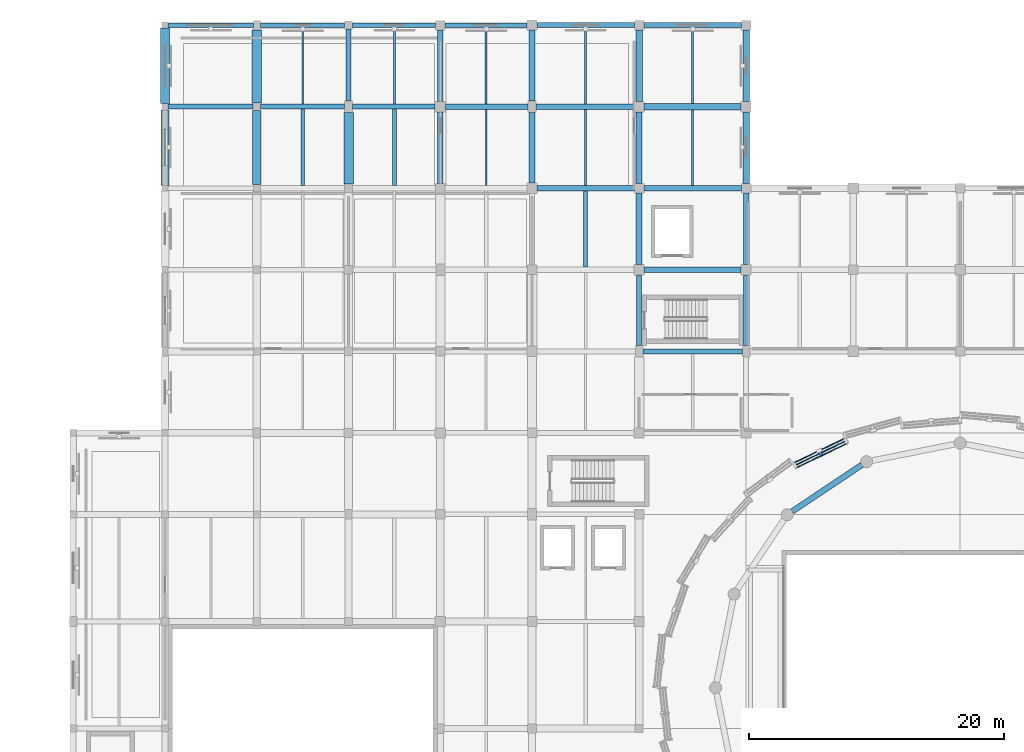
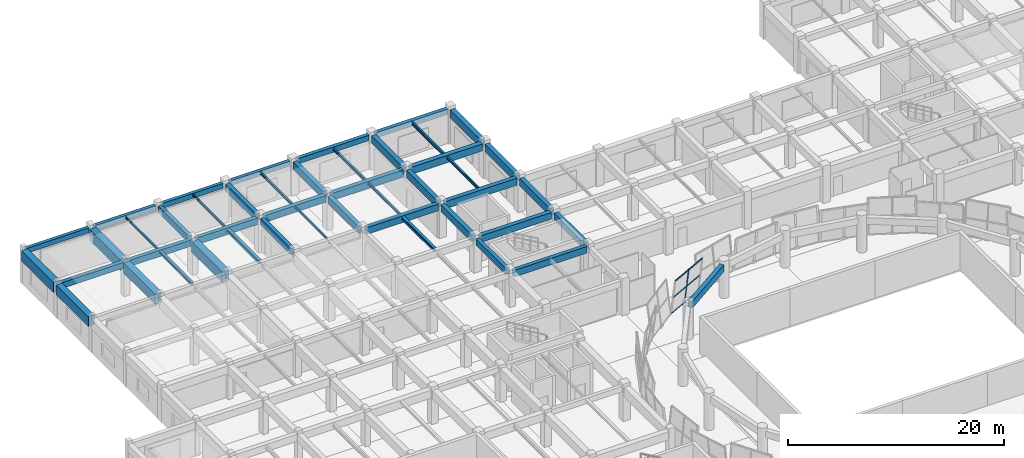
# One storey, part 34 of 71: 46 beams, 7 members, 1 element without a shape of its own.
"""IFC4 building model written with IfcOpenShell, lengths in metres."""

from ifc_helpers import new_model, si_unit, direction, frame, origin, origin_2d, place, context, subcontext, project, spatial, rectangle, hollow_rectangle, i_section, extrude, material, material_profile, profile_set, type_object, element, aggregate, save


model = new_model("IFC4")

# Units and contexts
model_context = context("Model", 3, precision=1e-05, world=origin(), true_north=direction((0.0, 1.0)))
body_context = subcontext(model_context, "Body", "Model", "MODEL_VIEW")
ifc_project = project(units=[si_unit("LENGTHUNIT", "METRE"), si_unit("AREAUNIT", "SQUARE_METRE"), si_unit("VOLUMEUNIT", "CUBIC_METRE"), si_unit("PLANEANGLEUNIT", "RADIAN"), si_unit("MASSUNIT", "GRAM", prefix="KILO")], contexts=[model_context])

# Site, building, storey
site_placement = place(None, origin())
site = spatial("IfcSite", under=ifc_project, at=site_placement, CompositionType="ELEMENT")
building_placement = place(site_placement, origin())
building = spatial("IfcBuilding", under=site, at=building_placement, Name="Korsvaeld Concert Hall", CompositionType="ELEMENT")
storey_placement = place(building_placement, frame((0.0, 0.0, 4.800048828125)))
storey = spatial("IfcBuildingStorey", under=building, at=storey_placement, Name="L01", CompositionType="ELEMENT", Elevation=4.800048828125)

# Beams
ifc_material_1 = material(Name="Concrete C35/45", Category="concrete")
ifc_material_profile_1 = material_profile(ifc_material_1, rectangle(XDim=0.39990234375, YDim=0.64990234375, at=origin_2d()), Name="RC 400x650")
ifc_profile_set_1 = profile_set([ifc_material_profile_1], Name="Concrete C35/45")
beam_type_1 = type_object("IfcBeamType", Name="BM-RC-400x650", PredefinedType="T_BEAM", material=ifc_profile_set_1)
beam_1_placement = place(storey_placement, frame((21.85009765625, 108.800048828125, 3.514892578125), z_axis=(1.0, 0.0, 0.0), x_axis=(0.0, 1.0, 0.0)))
element("IfcBeam", 1, at=beam_1_placement, inside=storey, type_object=beam_type_1, Name="Primary girder 4-5/R L01", PredefinedType="T_BEAM", context=body_context, shape_type="SweptSolid", body=[
    extrude(rectangle(XDim=0.39990234375, YDim=0.64990234375, at=origin_2d()), origin(), (0.0, 0.0, 1.0), 6.64990234375),
])
ifc_material_profile_2 = material_profile(ifc_material_1, rectangle(XDim=0.39990234375, YDim=0.699951171875, at=origin_2d()), Name="RC 400x700")
ifc_profile_set_2 = profile_set([ifc_material_profile_2], Name="Concrete C35/45")
beam_type_2 = type_object("IfcBeamType", Name="BM-RC-400x700", PredefinedType="T_BEAM", material=ifc_profile_set_2)
beam_2_placement = place(storey_placement, frame((29.10009765625, 108.800048828125, 3.489990234375), z_axis=(1.0, 0.0, 0.0), x_axis=(0.0, 1.0, 0.0)))
element("IfcBeam", 2, at=beam_2_placement, inside=storey, type_object=beam_type_2, Name="Primary girder 5-6/R L01", PredefinedType="T_BEAM", context=body_context, shape_type="SweptSolid", body=[
    extrude(rectangle(XDim=0.39990234375, YDim=0.699951171875, at=origin_2d()), origin(), (0.0, 0.0, 1.0), 6.599853515625),
])
for number, where, z_axis, x_axis, name in (
    (3, (36.0, 109.25, 3.489990234375), (0.0, 1.0, 0.0), (-1.0, 0.0, 0.0), "Primary girder 6/R-S L01"),
    (4, (43.199951171875, 102.77490234375, 3.489990234375), (0.0, 1.0, 0.0), (-1.0, 0.0, 0.0), "Primary girder 7/Q-R L01"),
):
    element("IfcBeam", number, at=place(storey_placement, frame(where, z_axis=z_axis, x_axis=x_axis)), inside=storey, type_object=beam_type_2, Name=name, PredefinedType="T_BEAM", context=body_context, shape_type="SweptSolid", body=[
        extrude(rectangle(XDim=0.39990234375, YDim=0.699951171875, at=origin_2d()), origin(), (0.0, 0.0, 1.0), 5.625),
    ])
beam_3_placement = place(storey_placement, frame((58.800048828125, 90.050048828125, 3.489990234375), z_axis=(0.0, 1.0, 0.0), x_axis=(-1.0, 0.0, 0.0)))
element("IfcBeam", 5, at=beam_3_placement, inside=storey, type_object=beam_type_2, Name="Primary girder 9/N-P L01", PredefinedType="T_BEAM", context=body_context, shape_type="SweptSolid", body=[
    extrude(rectangle(XDim=0.39990234375, YDim=0.699951171875, at=origin_2d()), origin(), (0.0, 0.0, 1.0), 5.550048828125),
])
ifc_material_profile_3 = material_profile(ifc_material_1, rectangle(XDim=0.39990234375, YDim=0.75, at=origin_2d()), Name="RC 400x750")
ifc_profile_set_3 = profile_set([ifc_material_profile_3], Name="Concrete C35/45")
beam_type_3 = type_object("IfcBeamType", Name="BM-RC-400x750", PredefinedType="T_BEAM", material=ifc_profile_set_3)
beam_4_placement = place(storey_placement, frame((59.10009765625, 89.60009765625, 3.46484375), z_axis=(1.0, 0.0, 0.0), x_axis=(0.0, 1.0, 0.0)))
element("IfcBeam", 6, at=beam_4_placement, inside=storey, type_object=beam_type_3, Name="Primary girder 9-10/N L01", PredefinedType="T_BEAM", context=body_context, shape_type="SweptSolid", body=[
    extrude(rectangle(XDim=0.39990234375, YDim=0.75, at=origin_2d()), origin(), (0.0, 0.0, 1.0), 7.7998046875),
])
beam_5_placement = place(storey_placement, frame((36.300048828125, 108.800048828125, 3.46484375), z_axis=(1.0, 0.0, 0.0), x_axis=(0.0, 1.0, 0.0)))
element("IfcBeam", 7, at=beam_5_placement, inside=storey, type_object=beam_type_3, Name="Primary girder 6-7/R L01", PredefinedType="T_BEAM", context=body_context, shape_type="SweptSolid", body=[
    extrude(rectangle(XDim=0.39990234375, YDim=0.75, at=origin_2d()), origin(), (0.0, 0.0, 1.0), 6.5),
])
ifc_material_profile_4 = material_profile(ifc_material_1, rectangle(XDim=0.449951171875, YDim=0.75, at=origin_2d()), Name="RC 450x750")
ifc_profile_set_4 = profile_set([ifc_material_profile_4], Name="Concrete C35/45")
beam_type_4 = type_object("IfcBeamType", Name="BM-RC-450x750", PredefinedType="T_BEAM", material=ifc_profile_set_4)
beam_6_placement = place(storey_placement, frame((59.199951171875, 96.0, 3.46484375), z_axis=(1.0, 0.0, 0.0), x_axis=(0.0, 1.0, 0.0)))
element("IfcBeam", 8, at=beam_6_placement, inside=storey, type_object=beam_type_4, Name="Primary girder 9-10/P L01", PredefinedType="T_BEAM", context=body_context, shape_type="SweptSolid", body=[
    extrude(rectangle(XDim=0.449951171875, YDim=0.75, at=origin_2d()), origin(), (0.0, 0.0, 1.0), 7.60009765625),
])
beam_7_placement = place(storey_placement, frame((50.800048828125, 102.39990234375, 3.46484375), z_axis=(1.0, 0.0, 0.0), x_axis=(0.0, 1.0, 0.0)))
element("IfcBeam", 9, at=beam_7_placement, inside=storey, type_object=beam_type_4, Name="Primary girder 8-9/Q L01", PredefinedType="T_BEAM", context=body_context, shape_type="SweptSolid", body=[
    extrude(rectangle(XDim=0.449951171875, YDim=0.75, at=origin_2d()), origin(), (0.0, 0.0, 1.0), 7.625),
])
beam_8_placement = place(storey_placement, frame((43.60009765625, 108.800048828125, 3.46484375), z_axis=(1.0, 0.0, 0.0), x_axis=(0.0, 1.0, 0.0)))
element("IfcBeam", 10, at=beam_8_placement, inside=storey, type_object=beam_type_4, Name="Primary girder 7-8/R L01", PredefinedType="T_BEAM", context=body_context, shape_type="SweptSolid", body=[
    extrude(rectangle(XDim=0.449951171875, YDim=0.75, at=origin_2d()), origin(), (0.0, 0.0, 1.0), 6.5),
])
beam_9_placement = place(storey_placement, frame((76.2783203125, 80.6884765625, 3.46484375), z_axis=(-0.83148573347, -0.55554610523, 0.0), x_axis=(0.55554610523, -0.83148573347, 0.0)))
element("IfcBeam", 11, at=beam_9_placement, inside=storey, type_object=beam_type_4, Name="Drum ring floor girder L01 06", PredefinedType="T_BEAM", context=body_context, shape_type="SweptSolid", body=[
    extrude(rectangle(XDim=0.449951171875, YDim=0.75, at=origin_2d()), origin(), (0.0, 0.0, 1.0), 6.591552734375),
])
ifc_material_profile_5 = material_profile(ifc_material_1, rectangle(XDim=0.449951171875, YDim=0.800048828125, at=origin_2d()), Name="RC 450x800")
ifc_profile_set_5 = profile_set([ifc_material_profile_5], Name="Concrete C35/45")
beam_type_5 = type_object("IfcBeamType", Name="BM-RC-450x800", PredefinedType="T_BEAM", material=ifc_profile_set_5)
beam_10_placement = place(storey_placement, frame((59.175048828125, 102.39990234375, 3.43994140625), z_axis=(1.0, 0.0, 0.0), x_axis=(0.0, 1.0, 0.0)))
element("IfcBeam", 12, at=beam_10_placement, inside=storey, type_object=beam_type_5, Name="Primary girder 9-10/Q L01", PredefinedType="T_BEAM", context=body_context, shape_type="SweptSolid", body=[
    extrude(rectangle(XDim=0.449951171875, YDim=0.800048828125, at=origin_2d()), origin(), (0.0, 0.0, 1.0), 7.64990234375),
])
beam_11_placement = place(storey_placement, frame((50.699951171875, 108.800048828125, 3.43994140625), z_axis=(1.0, 0.0, 0.0), x_axis=(0.0, 1.0, 0.0)))
element("IfcBeam", 13, at=beam_11_placement, inside=storey, type_object=beam_type_5, Name="Primary girder 8-9/R L01", PredefinedType="T_BEAM", context=body_context, shape_type="SweptSolid", body=[
    extrude(rectangle(XDim=0.449951171875, YDim=0.800048828125, at=origin_2d()), origin(), (0.0, 0.0, 1.0), 7.699951171875),
])
beam_12_placement = place(storey_placement, frame((43.199951171875, 109.199951171875, 3.43994140625), z_axis=(0.0, 1.0, 0.0), x_axis=(-1.0, 0.0, 0.0)))
element("IfcBeam", 14, at=beam_12_placement, inside=storey, type_object=beam_type_5, Name="Primary girder 7/R-S L01", PredefinedType="T_BEAM", context=body_context, shape_type="SweptSolid", body=[
    extrude(rectangle(XDim=0.449951171875, YDim=0.800048828125, at=origin_2d()), origin(), (0.0, 0.0, 1.0), 5.625),
])
beam_13_placement = place(storey_placement, frame((50.39990234375, 102.800048828125, 3.43994140625), z_axis=(0.0, 1.0, 0.0), x_axis=(-1.0, 0.0, 0.0)))
element("IfcBeam", 15, at=beam_13_placement, inside=storey, type_object=beam_type_5, Name="Primary girder 8/Q-R L01", PredefinedType="T_BEAM", context=body_context, shape_type="SweptSolid", body=[
    extrude(rectangle(XDim=0.449951171875, YDim=0.800048828125, at=origin_2d()), origin(), (0.0, 0.0, 1.0), 5.550048828125),
])
beam_14_placement = place(storey_placement, frame((58.800048828125, 96.39990234375, 3.43994140625), z_axis=(0.0, 1.0, 0.0), x_axis=(-1.0, 0.0, 0.0)))
element("IfcBeam", 16, at=beam_14_placement, inside=storey, type_object=beam_type_5, Name="Primary girder 9/P-Q L01", PredefinedType="T_BEAM", context=body_context, shape_type="SweptSolid", body=[
    extrude(rectangle(XDim=0.449951171875, YDim=0.800048828125, at=origin_2d()), origin(), (0.0, 0.0, 1.0), 5.625),
])
beam_15_placement = place(storey_placement, frame((67.199951171875, 90.050048828125, 3.43994140625), z_axis=(0.0, 1.0, 0.0), x_axis=(-1.0, 0.0, 0.0)))
element("IfcBeam", 17, at=beam_15_placement, inside=storey, type_object=beam_type_5, Name="Primary girder 10/N-P L01", PredefinedType="T_BEAM", context=body_context, shape_type="SweptSolid", body=[
    extrude(rectangle(XDim=0.449951171875, YDim=0.800048828125, at=origin_2d()), origin(), (0.0, 0.0, 1.0), 5.550048828125),
])
ifc_material_2 = material(Name="Concrete C40/50", Category="concrete")
ifc_material_profile_6 = material_profile(ifc_material_2, rectangle(XDim=0.449951171875, YDim=0.85009765625, at=origin_2d()), Name="RC 450x850")
ifc_profile_set_6 = profile_set([ifc_material_profile_6], Name="Concrete C40/50")
beam_type_6 = type_object("IfcBeamType", Name="BM-RC-450x850", PredefinedType="T_BEAM", material=ifc_profile_set_6)
beam_16_placement = place(storey_placement, frame((50.39990234375, 109.25, 3.4150390625), z_axis=(0.0, 1.0, 0.0), x_axis=(-1.0, 0.0, 0.0)))
element("IfcBeam", 18, at=beam_16_placement, inside=storey, type_object=beam_type_6, Name="Primary girder 8/R-S L01", PredefinedType="T_BEAM", context=body_context, shape_type="SweptSolid", body=[
    extrude(rectangle(XDim=0.449951171875, YDim=0.85009765625, at=origin_2d()), origin(), (0.0, 0.0, 1.0), 5.550048828125),
])
for number, where, z_axis, x_axis, name in (
    (19, (58.800048828125, 102.77490234375, 3.4150390625), (0.0, 1.0, 0.0), (-1.0, 0.0, 0.0), "Primary girder 9/Q-R L01"),
    (20, (67.199951171875, 96.39990234375, 3.4150390625), (0.0, 1.0, 0.0), (-1.0, 0.0, 0.0), "Primary girder 10/P-Q L01"),
):
    element("IfcBeam", number, at=place(storey_placement, frame(where, z_axis=z_axis, x_axis=x_axis)), inside=storey, type_object=beam_type_6, Name=name, PredefinedType="T_BEAM", context=body_context, shape_type="SweptSolid", body=[
        extrude(rectangle(XDim=0.449951171875, YDim=0.85009765625, at=origin_2d()), origin(), (0.0, 0.0, 1.0), 5.625),
    ])
ifc_material_profile_7 = material_profile(ifc_material_2, rectangle(XDim=0.5, YDim=0.800048828125, at=origin_2d()), Name="RC 500x800")
ifc_profile_set_7 = profile_set([ifc_material_profile_7], Name="Concrete C40/50")
beam_type_7 = type_object("IfcBeamType", Name="BM-RC-500x800", PredefinedType="T_BEAM", material=ifc_profile_set_7)
beam_17_placement = place(storey_placement, frame((59.199951171875, 108.800048828125, 3.43994140625), z_axis=(1.0, 0.0, 0.0), x_axis=(0.0, 1.0, 0.0)))
element("IfcBeam", 21, at=beam_17_placement, inside=storey, type_object=beam_type_7, Name="Primary girder 9-10/R L01", PredefinedType="T_BEAM", context=body_context, shape_type="SweptSolid", body=[
    extrude(rectangle(XDim=0.5, YDim=0.800048828125, at=origin_2d()), origin(), (0.0, 0.0, 1.0), 7.60009765625),
])
ifc_material_profile_8 = material_profile(ifc_material_2, rectangle(XDim=0.5, YDim=0.85009765625, at=origin_2d()), Name="RC 500x850")
ifc_profile_set_8 = profile_set([ifc_material_profile_8], Name="Concrete C40/50")
beam_type_8 = type_object("IfcBeamType", Name="BM-RC-500x850", PredefinedType="T_BEAM", material=ifc_profile_set_8)
for number, where, z_axis, x_axis, name in (
    (22, (58.800048828125, 109.199951171875, 3.4150390625), (0.0, 1.0, 0.0), (-1.0, 0.0, 0.0), "Primary girder 9/R-S L01"),
    (23, (67.199951171875, 102.77490234375, 3.4150390625), (0.0, 1.0, 0.0), (-1.0, 0.0, 0.0), "Primary girder 10/Q-R L01"),
):
    element("IfcBeam", number, at=place(storey_placement, frame(where, z_axis=z_axis, x_axis=x_axis)), inside=storey, type_object=beam_type_8, Name=name, PredefinedType="T_BEAM", context=body_context, shape_type="SweptSolid", body=[
        extrude(rectangle(XDim=0.5, YDim=0.85009765625, at=origin_2d()), origin(), (0.0, 0.0, 1.0), 5.625),
    ])
ifc_material_profile_9 = material_profile(ifc_material_2, rectangle(XDim=0.5, YDim=0.89990234375, at=origin_2d()), Name="RC 500x900")
ifc_profile_set_9 = profile_set([ifc_material_profile_9], Name="Concrete C40/50")
beam_type_9 = type_object("IfcBeamType", Name="BM-RC-500x900", PredefinedType="T_BEAM", material=ifc_profile_set_9)
beam_18_placement = place(storey_placement, frame((67.199951171875, 109.199951171875, 3.389892578125), z_axis=(0.0, 1.0, 0.0), x_axis=(-1.0, 0.0, 0.0)))
element("IfcBeam", 24, at=beam_18_placement, inside=storey, type_object=beam_type_9, Name="Primary girder 10/R-S L01", PredefinedType="T_BEAM", context=body_context, shape_type="SweptSolid", body=[
    extrude(rectangle(XDim=0.5, YDim=0.89990234375, at=origin_2d()), origin(), (0.0, 0.0, 1.0), 5.625),
])
ifc_material_profile_10 = material_profile(ifc_material_2, rectangle(XDim=0.64990234375, YDim=1.10009765625, at=origin_2d()), Name="RC 650x1100")
ifc_profile_set_10 = profile_set([ifc_material_profile_10], Name="Concrete C40/50")
beam_type_10 = type_object("IfcBeamType", Name="BM-RC-650x1100", PredefinedType="T_BEAM", material=ifc_profile_set_10)
beam_19_placement = place(storey_placement, frame((21.60009765625, 102.625, 3.2900390625), z_axis=(0.0, 1.0, 0.0), x_axis=(-1.0, 0.0, 0.0)))
element("IfcBeam", 25, at=beam_19_placement, inside=storey, type_object=beam_type_10, Name="Primary girder 4/Q-R L01", PredefinedType="T_BEAM", context=body_context, shape_type="SweptSolid", body=[
    extrude(rectangle(XDim=0.64990234375, YDim=1.10009765625, at=origin_2d()), origin(), (0.0, 0.0, 1.0), 5.925048828125),
])
ifc_material_profile_11 = material_profile(ifc_material_2, rectangle(XDim=0.699951171875, YDim=1.14990234375, at=origin_2d()), Name="RC 700x1150")
ifc_profile_set_11 = profile_set([ifc_material_profile_11], Name="Concrete C40/50")
beam_type_11 = type_object("IfcBeamType", Name="BM-RC-700x1150", PredefinedType="T_BEAM", material=ifc_profile_set_11)
beam_20_placement = place(storey_placement, frame((21.60009765625, 109.050048828125, 3.264892578125), z_axis=(0.0, 1.0, 0.0), x_axis=(-1.0, 0.0, 0.0)))
element("IfcBeam", 26, at=beam_20_placement, inside=storey, type_object=beam_type_11, Name="Primary girder 4/R-S L01", PredefinedType="T_BEAM", context=body_context, shape_type="SweptSolid", body=[
    extrude(rectangle(XDim=0.699951171875, YDim=1.14990234375, at=origin_2d()), origin(), (0.0, 0.0, 1.0), 5.925048828125),
])
beam_21_placement = place(storey_placement, frame((28.800048828125, 102.675048828125, 3.264892578125), z_axis=(0.0, 1.0, 0.0), x_axis=(-1.0, 0.0, 0.0)))
element("IfcBeam", 27, at=beam_21_placement, inside=storey, type_object=beam_type_11, Name="Primary girder 5/Q-R L01", PredefinedType="T_BEAM", context=body_context, shape_type="SweptSolid", body=[
    extrude(rectangle(XDim=0.699951171875, YDim=1.14990234375, at=origin_2d()), origin(), (0.0, 0.0, 1.0), 5.824951171875),
])
ifc_material_profile_12 = material_profile(ifc_material_2, rectangle(XDim=0.75, YDim=1.199951171875, at=origin_2d()), Name="RC 750x1200")
ifc_profile_set_12 = profile_set([ifc_material_profile_12], Name="Concrete C40/50")
beam_type_12 = type_object("IfcBeamType", Name="BM-RC-750x1200", PredefinedType="T_BEAM", material=ifc_profile_set_12)
beam_22_placement = place(storey_placement, frame((28.800048828125, 109.10009765625, 3.239990234375), z_axis=(0.0, 1.0, 0.0), x_axis=(-1.0, 0.0, 0.0)))
element("IfcBeam", 28, at=beam_22_placement, inside=storey, type_object=beam_type_12, Name="Primary girder 5/R-S L01", PredefinedType="T_BEAM", context=body_context, shape_type="SweptSolid", body=[
    extrude(rectangle(XDim=0.75, YDim=1.199951171875, at=origin_2d()), origin(), (0.0, 0.0, 1.0), 5.724853515625),
])
beam_23_placement = place(storey_placement, frame((36.0, 102.72509765625, 3.239990234375), z_axis=(0.0, 1.0, 0.0), x_axis=(-1.0, 0.0, 0.0)))
element("IfcBeam", 29, at=beam_23_placement, inside=storey, type_object=beam_type_12, Name="Primary girder 6/Q-R L01", PredefinedType="T_BEAM", context=body_context, shape_type="SweptSolid", body=[
    extrude(rectangle(XDim=0.75, YDim=1.199951171875, at=origin_2d()), origin(), (0.0, 0.0, 1.0), 5.625),
])
ifc_material_profile_13 = material_profile(ifc_material_1, rectangle(XDim=0.35009765625, YDim=0.550048828125, at=origin_2d()), Name="RC 350x550")
ifc_profile_set_13 = profile_set([ifc_material_profile_13], Name="Concrete C35/45")
beam_type_13 = type_object("IfcBeamType", Name="BM-SP-350x550", PredefinedType="SPANDREL", material=ifc_profile_set_13)
beam_24_placement = place(storey_placement, frame((21.824951171875, 115.199951171875, 3.56494140625), z_axis=(1.0, 0.0, 0.0), x_axis=(0.0, 1.0, 0.0)))
element("IfcBeam", 30, at=beam_24_placement, inside=storey, type_object=beam_type_13, Name="Primary girder 4-5/S L01", PredefinedType="SPANDREL", context=body_context, shape_type="SweptSolid", body=[
    extrude(rectangle(XDim=0.35009765625, YDim=0.550048828125, at=origin_2d()), origin(), (0.0, 0.0, 1.0), 6.699951171875),
])
beam_25_placement = place(storey_placement, frame((29.074951171875, 115.199951171875, 3.56494140625), z_axis=(1.0, 0.0, 0.0), x_axis=(0.0, 1.0, 0.0)))
element("IfcBeam", 31, at=beam_25_placement, inside=storey, type_object=beam_type_13, Name="Primary girder 5-6/S L01", PredefinedType="SPANDREL", context=body_context, shape_type="SweptSolid", body=[
    extrude(rectangle(XDim=0.35009765625, YDim=0.550048828125, at=origin_2d()), origin(), (0.0, 0.0, 1.0), 6.60009765625),
])
beam_26_placement = place(storey_placement, frame((36.324951171875, 115.199951171875, 3.56494140625), z_axis=(1.0, 0.0, 0.0), x_axis=(0.0, 1.0, 0.0)))
element("IfcBeam", 32, at=beam_26_placement, inside=storey, type_object=beam_type_13, Name="Primary girder 6-7/S L01", PredefinedType="SPANDREL", context=body_context, shape_type="SweptSolid", body=[
    extrude(rectangle(XDim=0.35009765625, YDim=0.550048828125, at=origin_2d()), origin(), (0.0, 0.0, 1.0), 6.5),
])
beam_27_placement = place(storey_placement, frame((43.574951171875, 115.199951171875, 3.56494140625), z_axis=(1.0, 0.0, 0.0), x_axis=(0.0, 1.0, 0.0)))
element("IfcBeam", 33, at=beam_27_placement, inside=storey, type_object=beam_type_13, Name="Primary girder 7-8/S L01", PredefinedType="SPANDREL", context=body_context, shape_type="SweptSolid", body=[
    extrude(rectangle(XDim=0.35009765625, YDim=0.550048828125, at=origin_2d()), origin(), (0.0, 0.0, 1.0), 6.425048828125),
])
ifc_material_profile_14 = material_profile(ifc_material_1, rectangle(XDim=0.39990234375, YDim=0.60009765625, at=origin_2d()), Name="RC 400x600")
ifc_profile_set_14 = profile_set([ifc_material_profile_14], Name="Concrete C35/45")
beam_type_14 = type_object("IfcBeamType", Name="BM-SP-400x600", PredefinedType="SPANDREL", material=ifc_profile_set_14)
beam_28_placement = place(storey_placement, frame((50.800048828125, 115.199951171875, 3.5400390625), z_axis=(1.0, 0.0, 0.0), x_axis=(0.0, 1.0, 0.0)))
element("IfcBeam", 34, at=beam_28_placement, inside=storey, type_object=beam_type_14, Name="Primary girder 8-9/S L01", PredefinedType="SPANDREL", context=body_context, shape_type="SweptSolid", body=[
    extrude(rectangle(XDim=0.39990234375, YDim=0.60009765625, at=origin_2d()), origin(), (0.0, 0.0, 1.0), 7.625),
])
beam_29_placement = place(storey_placement, frame((59.175048828125, 115.199951171875, 3.5400390625), z_axis=(1.0, 0.0, 0.0), x_axis=(0.0, 1.0, 0.0)))
element("IfcBeam", 35, at=beam_29_placement, inside=storey, type_object=beam_type_14, Name="Primary girder 9-10/S L01", PredefinedType="SPANDREL", context=body_context, shape_type="SweptSolid", body=[
    extrude(rectangle(XDim=0.39990234375, YDim=0.60009765625, at=origin_2d()), origin(), (0.0, 0.0, 1.0), 7.64990234375),
])
ifc_material_3 = material(Name="Steel S355J2", Category="steel")
ifc_material_profile_15 = material_profile(ifc_material_3, i_section(OverallWidth=0.280029296875, OverallDepth=0.27001953125, WebThickness=0.008056640625, FlangeThickness=0.012939453125, FilletRadius=0.02392578125, at=origin_2d()), Name="HEA 280")
ifc_profile_set_15 = profile_set([ifc_material_profile_15], Name="Steel S355J2")
beam_type_15 = type_object("IfcBeamType", Name="BM-STL-HEA280", PredefinedType="BEAM", material=ifc_profile_set_15)
beam_30_placement = place(storey_placement, frame((32.39990234375, 102.60009765625, 3.704833984375), z_axis=(0.0, 1.0, 0.0), x_axis=(-1.0, 0.0, 0.0)))
element("IfcBeam", 36, at=beam_30_placement, inside=storey, type_object=beam_type_15, Name="Secondary steel floor beam 5-6/Q L01", PredefinedType="BEAM", context=body_context, shape_type="SweptSolid", body=[
    extrude(i_section(OverallWidth=0.280029296875, OverallDepth=0.27001953125, WebThickness=0.008056640625, FlangeThickness=0.012939453125, FilletRadius=0.02392578125, at=origin_2d()), origin(), (0.0, 0.0, 1.0), 6.0),
])
ifc_material_profile_16 = material_profile(ifc_material_3, i_section(OverallWidth=0.300048828125, OverallDepth=0.35009765625, WebThickness=0.010009765625, FlangeThickness=0.017578125, FilletRadius=0.027099609375, at=origin_2d()), Name="HEA 360")
ifc_profile_set_16 = profile_set([ifc_material_profile_16], Name="Steel S355J2")
beam_type_16 = type_object("IfcBeamType", Name="BM-STL-HEA360", PredefinedType="BEAM", material=ifc_profile_set_16)
beam_31_placement = place(storey_placement, frame((39.60009765625, 102.60009765625, 3.6650390625), z_axis=(0.0, 1.0, 0.0), x_axis=(-1.0, 0.0, 0.0)))
element("IfcBeam", 37, at=beam_31_placement, inside=storey, type_object=beam_type_16, Name="Secondary steel floor beam 6-7/Q L01", PredefinedType="BEAM", context=body_context, shape_type="SweptSolid", body=[
    extrude(i_section(OverallWidth=0.300048828125, OverallDepth=0.35009765625, WebThickness=0.010009765625, FlangeThickness=0.017578125, FilletRadius=0.027099609375, at=origin_2d()), origin(), (0.0, 0.0, 1.0), 6.0),
])
beam_32_placement = place(storey_placement, frame((54.60009765625, 96.199951171875, 3.6650390625), z_axis=(0.0, 1.0, 0.0), x_axis=(-1.0, 0.0, 0.0)))
element("IfcBeam", 38, at=beam_32_placement, inside=storey, type_object=beam_type_16, Name="Secondary steel floor beam 8-9/P L01", PredefinedType="BEAM", context=body_context, shape_type="SweptSolid", body=[
    extrude(i_section(OverallWidth=0.300048828125, OverallDepth=0.35009765625, WebThickness=0.010009765625, FlangeThickness=0.017578125, FilletRadius=0.027099609375, at=origin_2d()), origin(), (0.0, 0.0, 1.0), 5.97509765625),
])
ifc_material_profile_17 = material_profile(ifc_material_3, i_section(OverallWidth=0.1201171875, OverallDepth=0.239990234375, WebThickness=0.006103515625, FlangeThickness=0.009765625, FilletRadius=0.014892578125, at=origin_2d()), Name="IPE 240")
ifc_profile_set_17 = profile_set([ifc_material_profile_17], Name="Steel S355J2")
beam_type_17 = type_object("IfcBeamType", Name="BM-STL-IPE240", PredefinedType="JOIST", material=ifc_profile_set_17)
beam_33_placement = place(storey_placement, frame((32.39990234375, 109.0, 3.719970703125), z_axis=(0.0, 1.0, 0.0), x_axis=(-1.0, 0.0, 0.0)))
element("IfcBeam", 39, at=beam_33_placement, inside=storey, type_object=beam_type_17, Name="Secondary steel floor beam 5-6/R L01", PredefinedType="JOIST", context=body_context, shape_type="SweptSolid", body=[
    extrude(i_section(OverallWidth=0.1201171875, OverallDepth=0.239990234375, WebThickness=0.006103515625, FlangeThickness=0.009765625, FilletRadius=0.014892578125, at=origin_2d()), origin(), (0.0, 0.0, 1.0), 6.02490234375),
])
beam_34_placement = place(storey_placement, frame((46.800048828125, 102.60009765625, 3.719970703125), z_axis=(0.0, 1.0, 0.0), x_axis=(-1.0, 0.0, 0.0)))
element("IfcBeam", 40, at=beam_34_placement, inside=storey, type_object=beam_type_17, Name="Secondary steel floor beam 7-8/Q L01", PredefinedType="JOIST", context=body_context, shape_type="SweptSolid", body=[
    extrude(i_section(OverallWidth=0.1201171875, OverallDepth=0.239990234375, WebThickness=0.006103515625, FlangeThickness=0.009765625, FilletRadius=0.014892578125, at=origin_2d()), origin(), (0.0, 0.0, 1.0), 5.974853515625),
])
ifc_material_profile_18 = material_profile(ifc_material_3, i_section(OverallWidth=0.135009765625, OverallDepth=0.27001953125, WebThickness=0.006591796875, FlangeThickness=0.01025390625, FilletRadius=0.014892578125, at=origin_2d()), Name="IPE 270")
ifc_profile_set_18 = profile_set([ifc_material_profile_18], Name="Steel S355J2")
beam_type_18 = type_object("IfcBeamType", Name="BM-STL-IPE270", PredefinedType="JOIST", material=ifc_profile_set_18)
beam_35_placement = place(storey_placement, frame((39.60009765625, 109.0, 3.704833984375), z_axis=(0.0, 1.0, 0.0), x_axis=(-1.0, 0.0, 0.0)))
element("IfcBeam", 41, at=beam_35_placement, inside=storey, type_object=beam_type_18, Name="Secondary steel floor beam 6-7/R L01", PredefinedType="JOIST", context=body_context, shape_type="SweptSolid", body=[
    extrude(i_section(OverallWidth=0.135009765625, OverallDepth=0.27001953125, WebThickness=0.006591796875, FlangeThickness=0.01025390625, FilletRadius=0.014892578125, at=origin_2d()), origin(), (0.0, 0.0, 1.0), 6.02490234375),
])
beam_36_placement = place(storey_placement, frame((54.60009765625, 102.625, 3.704833984375), z_axis=(0.0, 1.0, 0.0), x_axis=(-1.0, 0.0, 0.0)))
element("IfcBeam", 42, at=beam_36_placement, inside=storey, type_object=beam_type_18, Name="Secondary steel floor beam 8-9/Q L01", PredefinedType="JOIST", context=body_context, shape_type="SweptSolid", body=[
    extrude(i_section(OverallWidth=0.135009765625, OverallDepth=0.27001953125, WebThickness=0.006591796875, FlangeThickness=0.01025390625, FilletRadius=0.014892578125, at=origin_2d()), origin(), (0.0, 0.0, 1.0), 5.949951171875),
])
ifc_material_profile_19 = material_profile(ifc_material_3, i_section(OverallWidth=0.14990234375, OverallDepth=0.300048828125, WebThickness=0.007080078125, FlangeThickness=0.0107421875, FilletRadius=0.014892578125, at=origin_2d()), Name="IPE 300")
ifc_profile_set_19 = profile_set([ifc_material_profile_19], Name="Steel S355J2")
beam_type_19 = type_object("IfcBeamType", Name="BM-STL-IPE300", PredefinedType="JOIST", material=ifc_profile_set_19)
beam_37_placement = place(storey_placement, frame((46.800048828125, 109.02490234375, 3.68994140625), z_axis=(0.0, 1.0, 0.0), x_axis=(-1.0, 0.0, 0.0)))
element("IfcBeam", 43, at=beam_37_placement, inside=storey, type_object=beam_type_19, Name="Secondary steel floor beam 7-8/R L01", PredefinedType="JOIST", context=body_context, shape_type="SweptSolid", body=[
    extrude(i_section(OverallWidth=0.14990234375, OverallDepth=0.300048828125, WebThickness=0.007080078125, FlangeThickness=0.0107421875, FilletRadius=0.014892578125, at=origin_2d()), origin(), (0.0, 0.0, 1.0), 6.0),
])
beam_38_placement = place(storey_placement, frame((63.0, 102.625, 3.68994140625), z_axis=(0.0, 1.0, 0.0), x_axis=(-1.0, 0.0, 0.0)))
element("IfcBeam", 44, at=beam_38_placement, inside=storey, type_object=beam_type_19, Name="Secondary steel floor beam 9-10/Q L01", PredefinedType="JOIST", context=body_context, shape_type="SweptSolid", body=[
    extrude(i_section(OverallWidth=0.14990234375, OverallDepth=0.300048828125, WebThickness=0.007080078125, FlangeThickness=0.0107421875, FilletRadius=0.014892578125, at=origin_2d()), origin(), (0.0, 0.0, 1.0), 5.925048828125),
])
ifc_material_profile_20 = material_profile(ifc_material_3, i_section(OverallWidth=0.159912109375, OverallDepth=0.330078125, WebThickness=0.007568359375, FlangeThickness=0.011474609375, FilletRadius=0.01806640625, at=origin_2d()), Name="IPE 330")
ifc_profile_set_20 = profile_set([ifc_material_profile_20], Name="Steel S355J2")
beam_type_20 = type_object("IfcBeamType", Name="BM-STL-IPE330", PredefinedType="BEAM", material=ifc_profile_set_20)
beam_39_placement = place(storey_placement, frame((54.60009765625, 109.02490234375, 3.675048828125), z_axis=(0.0, 1.0, 0.0), x_axis=(-1.0, 0.0, 0.0)))
element("IfcBeam", 45, at=beam_39_placement, inside=storey, type_object=beam_type_20, Name="Secondary steel floor beam 8-9/R L01", PredefinedType="BEAM", context=body_context, shape_type="SweptSolid", body=[
    extrude(i_section(OverallWidth=0.159912109375, OverallDepth=0.330078125, WebThickness=0.007568359375, FlangeThickness=0.011474609375, FilletRadius=0.01806640625, at=origin_2d()), origin(), (0.0, 0.0, 1.0), 5.97509765625),
])
ifc_material_profile_21 = material_profile(ifc_material_3, i_section(OverallWidth=0.169921875, OverallDepth=0.360107421875, WebThickness=0.008056640625, FlangeThickness=0.0126953125, FilletRadius=0.01806640625, at=origin_2d()), Name="IPE 360")
ifc_profile_set_21 = profile_set([ifc_material_profile_21], Name="Steel S355J2")
beam_type_21 = type_object("IfcBeamType", Name="BM-STL-IPE360", PredefinedType="BEAM", material=ifc_profile_set_21)
beam_40_placement = place(storey_placement, frame((63.0, 109.050048828125, 3.659912109375), z_axis=(0.0, 1.0, 0.0), x_axis=(-1.0, 0.0, 0.0)))
element("IfcBeam", 46, at=beam_40_placement, inside=storey, type_object=beam_type_21, Name="Secondary steel floor beam 9-10/R L01", PredefinedType="BEAM", context=body_context, shape_type="SweptSolid", body=[
    extrude(i_section(OverallWidth=0.169921875, OverallDepth=0.360107421875, WebThickness=0.008056640625, FlangeThickness=0.0126953125, FilletRadius=0.01806640625, at=origin_2d()), origin(), (0.0, 0.0, 1.0), 5.949951171875),
])

# Curtain wall, members
ifc_material_4 = material(Name="Anodised bronze and ceramic-fritted safety glass", Category="glass")
curtain_wall_type = type_object("IfcCurtainWallType", Name="CW-TYPE-03", PredefinedType="USERDEFINED", material=ifc_material_4)
curtain_wall_placement = place(storey_placement, origin())
curtain_wall = element("IfcCurtainWall", 47, at=curtain_wall_placement, inside=storey, type_object=curtain_wall_type, Name="Crystal curtain-wall facet L01 F11", ObjectType="CURTAIN WALL", PredefinedType="USERDEFINED")
ifc_material_5 = material(Name="Anodised architectural bronze aluminium", Category="aluminium")
ifc_material_profile_22 = material_profile(ifc_material_5, hollow_rectangle(XDim=0.074951171875, YDim=0.219970703125, WallThickness=0.006103515625, at=origin_2d()), Name="CWM 220x75x6")
ifc_profile_set_22 = profile_set([ifc_material_profile_22], Name="Anodised architectural bronze aluminium")
member_type_1 = type_object("IfcMemberType", Name="CWM-BRONZE-220x75", PredefinedType="MULLION", material=ifc_profile_set_22)
member_1_placement = place(storey_placement, frame((72.9287109375, 81.806640625, 0.0), z_axis=(0.057831431032, -0.097281845066, 0.993575245367), x_axis=(0.829740385878, -0.548745919408, -0.10202356579)))
member_1 = element("IfcMember", 48, at=member_1_placement, type_object=member_type_1, Name="CW-CRYS-L01-F11 crystal mullion 2", PredefinedType="MULLION", context=body_context, shape_type="SweptSolid", body=[
    extrude(hollow_rectangle(XDim=0.074951171875, YDim=0.219970703125, WallThickness=0.006103515625, at=origin_2d()), origin(), (0.0, 0.0, 1.0), 3.905029296875),
])
ifc_material_profile_23 = material_profile(ifc_material_5, hollow_rectangle(XDim=0.06005859375, YDim=0.139892578125, WallThickness=0.00390625, at=origin_2d()), Name="CWT 140x60x4")
ifc_profile_set_23 = profile_set([ifc_material_profile_23], Name="Anodised architectural bronze aluminium")
member_type_2 = type_object("IfcMemberType", Name="CWT-BRONZE-140x60", PredefinedType="USERDEFINED", material=ifc_profile_set_23)
member_2_placement = place(storey_placement, frame((74.90283203125, 82.750732421875, 0.030029296875), z_axis=(-0.901508884705, -0.432760592935, 0.0), x_axis=(0.432760592935, -0.901508884705, 0.0)))
member_2 = element("IfcMember", 49, at=member_2_placement, type_object=member_type_2, Name="CW-CRYS-L01-F11 crystal transom 1.1", ObjectType="TRANSOM", PredefinedType="USERDEFINED", context=body_context, shape_type="SweptSolid", body=[
    extrude(hollow_rectangle(XDim=0.06005859375, YDim=0.139892578125, WallThickness=0.00390625, at=origin_2d()), origin(), (0.0, 0.0, 1.0), 2.150634765625),
])
member_3_placement = place(storey_placement, frame((75.01416015625, 82.563720703125, 1.93994140625), z_axis=(-0.901508884705, -0.432760592935, 0.0), x_axis=(0.432760592935, -0.901508884705, 0.0)))
member_3 = element("IfcMember", 50, at=member_3_placement, type_object=member_type_2, Name="CW-CRYS-L01-F11 crystal transom 1.2", ObjectType="TRANSOM", PredefinedType="USERDEFINED", context=body_context, shape_type="SweptSolid", body=[
    extrude(hollow_rectangle(XDim=0.06005859375, YDim=0.139892578125, WallThickness=0.00390625, at=origin_2d()), origin(), (0.0, 0.0, 1.0), 2.150634765625),
])
member_4_placement = place(storey_placement, frame((75.12548828125, 82.376708984375, 3.849853515625), z_axis=(-0.901508884705, -0.432760592935, 0.0), x_axis=(0.432760592935, -0.901508884705, 0.0)))
member_4 = element("IfcMember", 51, at=member_4_placement, type_object=member_type_2, Name="CW-CRYS-L01-F11 crystal transom 1.3", ObjectType="TRANSOM", PredefinedType="USERDEFINED", context=body_context, shape_type="SweptSolid", body=[
    extrude(hollow_rectangle(XDim=0.06005859375, YDim=0.139892578125, WallThickness=0.00390625, at=origin_2d()), origin(), (0.0, 0.0, 1.0), 2.150634765625),
])
member_5_placement = place(storey_placement, frame((72.896484375, 81.78759765625, 0.030029296875), z_axis=(-0.901464591462, -0.432852850679, 0.0), x_axis=(0.432852850679, -0.901464591462, 0.0)))
member_5 = element("IfcMember", 52, at=member_5_placement, type_object=member_type_2, Name="CW-CRYS-L01-F11 crystal transom 2.1", ObjectType="TRANSOM", PredefinedType="USERDEFINED", context=body_context, shape_type="SweptSolid", body=[
    extrude(hollow_rectangle(XDim=0.06005859375, YDim=0.139892578125, WallThickness=0.00390625, at=origin_2d()), origin(), (0.0, 0.0, 1.0), 2.150634765625),
])
member_6_placement = place(storey_placement, frame((73.0078125, 81.6005859375, 1.93994140625), z_axis=(-0.901464591462, -0.432852850679, 0.0), x_axis=(0.432852850679, -0.901464591462, 0.0)))
member_6 = element("IfcMember", 53, at=member_6_placement, type_object=member_type_2, Name="CW-CRYS-L01-F11 crystal transom 2.2", ObjectType="TRANSOM", PredefinedType="USERDEFINED", context=body_context, shape_type="SweptSolid", body=[
    extrude(hollow_rectangle(XDim=0.06005859375, YDim=0.139892578125, WallThickness=0.00390625, at=origin_2d()), origin(), (0.0, 0.0, 1.0), 2.150634765625),
])
member_7_placement = place(storey_placement, frame((73.119140625, 81.41357421875, 3.849853515625), z_axis=(-0.901464591462, -0.432852850679, 0.0), x_axis=(0.432852850679, -0.901464591462, 0.0)))
member_7 = element("IfcMember", 54, at=member_7_placement, type_object=member_type_2, Name="CW-CRYS-L01-F11 crystal transom 2.3", ObjectType="TRANSOM", PredefinedType="USERDEFINED", context=body_context, shape_type="SweptSolid", body=[
    extrude(hollow_rectangle(XDim=0.06005859375, YDim=0.139892578125, WallThickness=0.00390625, at=origin_2d()), origin(), (0.0, 0.0, 1.0), 2.150634765625),
])
aggregate(curtain_wall, [member_1, member_2, member_3, member_4, member_5, member_6, member_7])

save(model, "model.ifc")
